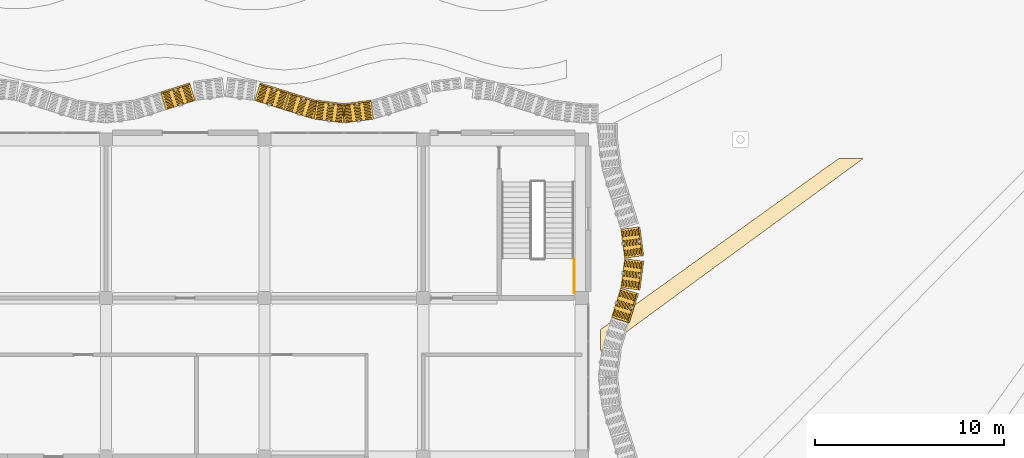
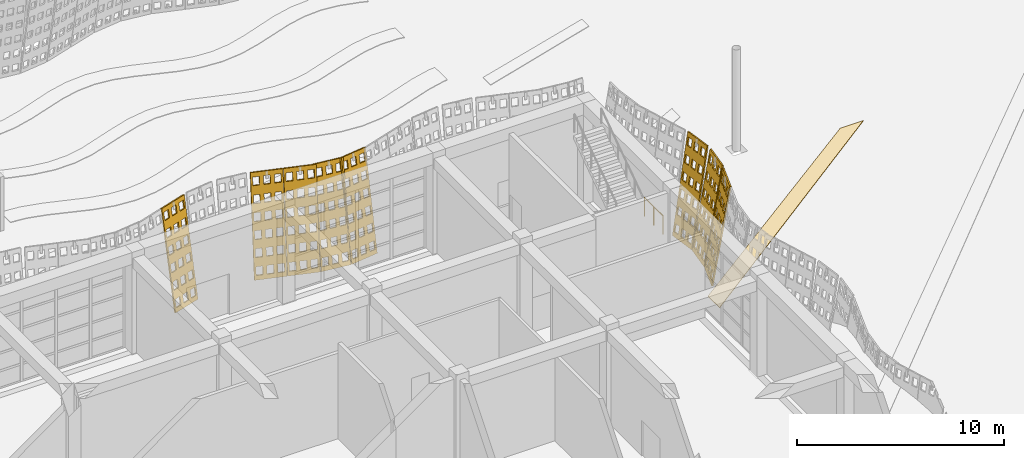
# One storey, part 162 of 210: 9 coverings, 1 railing.
"""IFC4 building model written with IfcOpenShell, lengths in metres."""

from ifc_helpers import new_model, si_unit, direction, frame, origin, origin_2d, place, context, subcontext, project, spatial, polyline, circle, outline, extrude, material, layer, layer_set, type_object, element, save


model = new_model("IFC4")

# Units and contexts
model_context = context("Model", 3, precision=1e-05, world=origin(), true_north=direction((0.0, 1.0)))
body_context = subcontext(model_context, "Body", "Model", "MODEL_VIEW")
ifc_project = project(units=[si_unit("LENGTHUNIT", "METRE"), si_unit("AREAUNIT", "SQUARE_METRE"), si_unit("VOLUMEUNIT", "CUBIC_METRE"), si_unit("PLANEANGLEUNIT", "RADIAN"), si_unit("MASSUNIT", "GRAM", prefix="KILO")], contexts=[model_context])

# Site, building, storey
site_placement = place(None, origin())
site = spatial("IfcSite", under=ifc_project, at=site_placement, CompositionType="ELEMENT")
building_placement = place(site_placement, origin())
building = spatial("IfcBuilding", under=site, at=building_placement, Name="Rain Tree Exposition and Congress Centre", CompositionType="ELEMENT")
storey_placement = place(building_placement, origin())
storey = spatial("IfcBuildingStorey", under=building, at=storey_placement, Name="L00", CompositionType="ELEMENT", Elevation=0.0)

# Coverings
ifc_material_1 = material(Name="Granite paving", Category="masonry")
ifc_layer_1 = layer(ifc_material_1, 0.030029296875)
ifc_layer_set_1 = layer_set([ifc_layer_1], Name="Granite paving")
covering_type_1 = type_object("IfcCoveringType", Name="Granite paving inlay 30", PredefinedType="FLOORING", material=ifc_layer_set_1)
covering_1_placement = place(storey_placement, origin())
element("IfcCovering", 1, at=covering_1_placement, inside=storey, type_object=covering_type_1, Name="Granite paving inlay 4", PredefinedType="FLOORING", context=body_context, shape_type="SweptSolid", body=[
    extrude(outline(polyline([(65.314208984375, 49.39990234375), (64.0205078125, 49.39990234375), (51.39990234375, 40.337158203125), (51.39990234375, 39.2099609375), (53.46826171875, 40.724609375), (65.314208984375, 49.39990234375)])), origin(), (0.0, 0.0, 1.0), 0.030029296875),
])
ifc_material_2 = material(Name="Perforated terracotta", Category="masonry")
ifc_layer_2 = layer(ifc_material_2, 0.080078125)
ifc_layer_set_2 = layer_set([ifc_layer_2], Name="Perforated terracotta")
covering_type_2 = type_object("IfcCoveringType", Name="Terracotta screen 80", PredefinedType="CLADDING", material=ifc_layer_set_2)
covering_2_placement = place(storey_placement, frame((52.050048828125, 40.949951171875, 0.0), z_axis=(-0.942480618158, 0.295859611525, 0.155555053482), x_axis=(-0.29950542383, -0.954094597562, 0.0)))
element("IfcCovering", 2, at=covering_2_placement, inside=storey, type_object=covering_type_2, Name="wing/screen/L00/061", PredefinedType="CLADDING", context=body_context, shape_type="SweptSolid", body=[
    extrude(outline(polyline([(-0.014892578125, 5.808349609375), (-0.014892578125, 0.0), (-1.62890625, 0.0), (-1.62890625, 5.808349609375), (-0.014892578125, 5.808349609375)]), holes=[polyline([(-0.1171875, 0.249755859375), (-0.1171875, 0.71826171875), (-0.45068359375, 0.71826171875), (-0.45068359375, 0.249755859375), (-0.1171875, 0.249755859375)]), polyline([(-0.1171875, 1.218017578125), (-0.1171875, 1.686279296875), (-0.45068359375, 1.686279296875), (-0.45068359375, 1.218017578125), (-0.1171875, 1.218017578125)]), polyline([(-0.1171875, 2.18603515625), (-0.1171875, 2.654296875), (-0.45068359375, 2.654296875), (-0.45068359375, 2.18603515625), (-0.1171875, 2.18603515625)]), polyline([(-0.1171875, 3.154052734375), (-0.1171875, 3.62255859375), (-0.45068359375, 3.62255859375), (-0.45068359375, 3.154052734375), (-0.1171875, 3.154052734375)]), polyline([(-0.1171875, 4.1220703125), (-0.1171875, 4.590576171875), (-0.45068359375, 4.590576171875), (-0.45068359375, 4.1220703125), (-0.1171875, 4.1220703125)]), polyline([(-0.1171875, 5.090087890625), (-0.1171875, 5.55859375), (-0.45068359375, 5.55859375), (-0.45068359375, 5.090087890625), (-0.1171875, 5.090087890625)]), polyline([(-0.6552734375, 0.249755859375), (-0.6552734375, 0.71826171875), (-0.98876953125, 0.71826171875), (-0.98876953125, 0.249755859375), (-0.6552734375, 0.249755859375)]), polyline([(-0.6552734375, 1.218017578125), (-0.6552734375, 1.686279296875), (-0.98876953125, 1.686279296875), (-0.98876953125, 1.218017578125), (-0.6552734375, 1.218017578125)]), polyline([(-0.6552734375, 2.18603515625), (-0.6552734375, 2.654296875), (-0.98876953125, 2.654296875), (-0.98876953125, 2.18603515625), (-0.6552734375, 2.18603515625)]), polyline([(-0.6552734375, 3.154052734375), (-0.6552734375, 3.62255859375), (-0.98876953125, 3.62255859375), (-0.98876953125, 3.154052734375), (-0.6552734375, 3.154052734375)]), polyline([(-0.6552734375, 4.1220703125), (-0.6552734375, 4.590576171875), (-0.98876953125, 4.590576171875), (-0.98876953125, 4.1220703125), (-0.6552734375, 4.1220703125)]), polyline([(-0.6552734375, 5.090087890625), (-0.6552734375, 5.55859375), (-0.98876953125, 5.55859375), (-0.98876953125, 5.090087890625), (-0.6552734375, 5.090087890625)]), polyline([(-1.193115234375, 0.249755859375), (-1.193115234375, 0.71826171875), (-1.526611328125, 0.71826171875), (-1.526611328125, 0.249755859375), (-1.193115234375, 0.249755859375)]), polyline([(-1.193115234375, 1.218017578125), (-1.193115234375, 1.686279296875), (-1.526611328125, 1.686279296875), (-1.526611328125, 1.218017578125), (-1.193115234375, 1.218017578125)]), polyline([(-1.193115234375, 2.18603515625), (-1.193115234375, 2.654296875), (-1.526611328125, 2.654296875), (-1.526611328125, 2.18603515625), (-1.193115234375, 2.18603515625)]), polyline([(-1.193115234375, 3.154052734375), (-1.193115234375, 3.62255859375), (-1.526611328125, 3.62255859375), (-1.526611328125, 3.154052734375), (-1.193115234375, 3.154052734375)]), polyline([(-1.193115234375, 4.1220703125), (-1.193115234375, 4.590576171875), (-1.526611328125, 4.590576171875), (-1.526611328125, 4.1220703125), (-1.193115234375, 4.1220703125)]), polyline([(-1.193115234375, 5.090087890625), (-1.193115234375, 5.55859375), (-1.526611328125, 5.55859375), (-1.526611328125, 5.090087890625), (-1.193115234375, 5.090087890625)])]), origin(), (0.0, 0.0, 1.0), 0.080078125),
])
covering_3_placement = place(storey_placement, frame((52.544921875, 42.52490234375, 0.0), z_axis=(-0.978391994594, 0.12841394929, 0.162046174105), x_axis=(-0.130133906157, -0.991496427865, 0.0)))
element("IfcCovering", 3, at=covering_3_placement, inside=storey, type_object=covering_type_2, Name="wing/screen/L00/062", PredefinedType="CLADDING", context=body_context, shape_type="SweptSolid", body=[
    extrude(outline(polyline([(-0.02197265625, 5.813720703125), (-0.02197265625, 0.0), (-1.56298828125, 0.0), (-1.56298828125, 5.813720703125), (-0.02197265625, 5.813720703125)]), holes=[polyline([(-0.11962890625, 0.25), (-0.11962890625, 0.718994140625), (-0.43798828125, 0.718994140625), (-0.43798828125, 0.25), (-0.11962890625, 0.25)]), polyline([(-0.11962890625, 1.218994140625), (-0.11962890625, 1.687744140625), (-0.43798828125, 1.687744140625), (-0.43798828125, 1.218994140625), (-0.11962890625, 1.218994140625)]), polyline([(-0.11962890625, 2.18798828125), (-0.11962890625, 2.65673828125), (-0.43798828125, 2.65673828125), (-0.43798828125, 2.18798828125), (-0.11962890625, 2.18798828125)]), polyline([(-0.11962890625, 3.15673828125), (-0.11962890625, 3.625732421875), (-0.43798828125, 3.625732421875), (-0.43798828125, 3.15673828125), (-0.11962890625, 3.15673828125)]), polyline([(-0.11962890625, 4.125732421875), (-0.11962890625, 4.594482421875), (-0.43798828125, 4.594482421875), (-0.43798828125, 4.125732421875), (-0.11962890625, 4.125732421875)]), polyline([(-0.11962890625, 5.0947265625), (-0.11962890625, 5.5634765625), (-0.43798828125, 5.5634765625), (-0.43798828125, 5.0947265625), (-0.11962890625, 5.0947265625)]), polyline([(-0.63330078125, 0.25), (-0.63330078125, 0.718994140625), (-0.95166015625, 0.718994140625), (-0.95166015625, 0.25), (-0.63330078125, 0.25)]), polyline([(-0.63330078125, 1.218994140625), (-0.63330078125, 1.687744140625), (-0.95166015625, 1.687744140625), (-0.95166015625, 1.218994140625), (-0.63330078125, 1.218994140625)]), polyline([(-0.63330078125, 2.18798828125), (-0.63330078125, 2.65673828125), (-0.95166015625, 2.65673828125), (-0.95166015625, 2.18798828125), (-0.63330078125, 2.18798828125)]), polyline([(-0.63330078125, 3.15673828125), (-0.63330078125, 3.625732421875), (-0.95166015625, 3.625732421875), (-0.95166015625, 3.15673828125), (-0.63330078125, 3.15673828125)]), polyline([(-0.63330078125, 4.125732421875), (-0.63330078125, 4.594482421875), (-0.95166015625, 4.594482421875), (-0.95166015625, 4.125732421875), (-0.63330078125, 4.125732421875)]), polyline([(-0.63330078125, 5.0947265625), (-0.63330078125, 5.5634765625), (-0.95166015625, 5.5634765625), (-0.95166015625, 5.0947265625), (-0.63330078125, 5.0947265625)]), polyline([(-1.146728515625, 0.25), (-1.146728515625, 0.718994140625), (-1.46533203125, 0.718994140625), (-1.46533203125, 0.25), (-1.146728515625, 0.25)]), polyline([(-1.146728515625, 1.218994140625), (-1.146728515625, 1.687744140625), (-1.46533203125, 1.687744140625), (-1.46533203125, 1.218994140625), (-1.146728515625, 1.218994140625)]), polyline([(-1.146728515625, 2.18798828125), (-1.146728515625, 2.65673828125), (-1.46533203125, 2.65673828125), (-1.46533203125, 2.18798828125), (-1.146728515625, 2.18798828125)]), polyline([(-1.146728515625, 3.15673828125), (-1.146728515625, 3.625732421875), (-1.46533203125, 3.625732421875), (-1.46533203125, 3.15673828125), (-1.146728515625, 3.15673828125)]), polyline([(-1.146728515625, 4.125732421875), (-1.146728515625, 4.594482421875), (-1.46533203125, 4.594482421875), (-1.46533203125, 4.125732421875), (-1.146728515625, 4.125732421875)]), polyline([(-1.146728515625, 5.0947265625), (-1.146728515625, 5.5634765625), (-1.46533203125, 5.5634765625), (-1.46533203125, 5.0947265625), (-1.146728515625, 5.0947265625)])]), origin(), (0.0, 0.0, 1.0), 0.079833984375),
])
covering_4_placement = place(storey_placement, frame((52.75, 44.10009765625, 0.0), z_axis=(-0.978522114732, -0.1280309309, 0.161562841373), x_axis=(0.129735338481, -0.991548658387, 0.0)))
element("IfcCovering", 4, at=covering_4_placement, inside=storey, type_object=covering_type_2, Name="wing/screen/L00/063", PredefinedType="CLADDING", context=body_context, shape_type="SweptSolid", body=[
    extrude(outline(polyline([(-0.025390625, 5.813720703125), (-0.025390625, 0.0), (-1.56640625, 0.0), (-1.56640625, 5.813720703125), (-0.025390625, 5.813720703125)]), holes=[polyline([(-0.123046875, 0.25), (-0.123046875, 0.718994140625), (-0.44140625, 0.718994140625), (-0.44140625, 0.25), (-0.123046875, 0.25)]), polyline([(-0.123046875, 1.218994140625), (-0.123046875, 1.687744140625), (-0.44140625, 1.687744140625), (-0.44140625, 1.218994140625), (-0.123046875, 1.218994140625)]), polyline([(-0.123046875, 2.18798828125), (-0.123046875, 2.65673828125), (-0.44140625, 2.65673828125), (-0.44140625, 2.18798828125), (-0.123046875, 2.18798828125)]), polyline([(-0.123046875, 3.15673828125), (-0.123046875, 3.625732421875), (-0.44140625, 3.625732421875), (-0.44140625, 3.15673828125), (-0.123046875, 3.15673828125)]), polyline([(-0.123046875, 4.125732421875), (-0.123046875, 4.594482421875), (-0.44140625, 4.594482421875), (-0.44140625, 4.125732421875), (-0.123046875, 4.125732421875)]), polyline([(-0.123046875, 5.0947265625), (-0.123046875, 5.5634765625), (-0.44140625, 5.5634765625), (-0.44140625, 5.0947265625), (-0.123046875, 5.0947265625)]), polyline([(-0.63671875, 0.25), (-0.63671875, 0.718994140625), (-0.955078125, 0.718994140625), (-0.955078125, 0.25), (-0.63671875, 0.25)]), polyline([(-0.63671875, 1.218994140625), (-0.63671875, 1.687744140625), (-0.955078125, 1.687744140625), (-0.955078125, 1.218994140625), (-0.63671875, 1.218994140625)]), polyline([(-0.63671875, 2.18798828125), (-0.63671875, 2.65673828125), (-0.955078125, 2.65673828125), (-0.955078125, 2.18798828125), (-0.63671875, 2.18798828125)]), polyline([(-0.63671875, 3.15673828125), (-0.63671875, 3.625732421875), (-0.955078125, 3.625732421875), (-0.955078125, 3.15673828125), (-0.63671875, 3.15673828125)]), polyline([(-0.63671875, 4.125732421875), (-0.63671875, 4.594482421875), (-0.955078125, 4.594482421875), (-0.955078125, 4.125732421875), (-0.63671875, 4.125732421875)]), polyline([(-0.63671875, 5.0947265625), (-0.63671875, 5.5634765625), (-0.955078125, 5.5634765625), (-0.955078125, 5.0947265625), (-0.63671875, 5.0947265625)]), polyline([(-1.150146484375, 0.25), (-1.150146484375, 0.718994140625), (-1.46875, 0.718994140625), (-1.46875, 0.25), (-1.150146484375, 0.25)]), polyline([(-1.150146484375, 1.218994140625), (-1.150146484375, 1.687744140625), (-1.46875, 1.687744140625), (-1.46875, 1.218994140625), (-1.150146484375, 1.218994140625)]), polyline([(-1.150146484375, 2.18798828125), (-1.150146484375, 2.65673828125), (-1.46875, 2.65673828125), (-1.46875, 2.18798828125), (-1.150146484375, 2.18798828125)]), polyline([(-1.150146484375, 3.15673828125), (-1.150146484375, 3.625732421875), (-1.46875, 3.625732421875), (-1.46875, 3.15673828125), (-1.150146484375, 3.15673828125)]), polyline([(-1.150146484375, 4.125732421875), (-1.150146484375, 4.594482421875), (-1.46875, 4.594482421875), (-1.46875, 4.125732421875), (-1.150146484375, 4.125732421875)]), polyline([(-1.150146484375, 5.0947265625), (-1.150146484375, 5.5634765625), (-1.46875, 5.5634765625), (-1.46875, 5.0947265625), (-1.150146484375, 5.0947265625)])]), origin(), (0.0, 0.0, 1.0), 0.080078125),
])
covering_5_placement = place(storey_placement, frame((39.375, 51.554931640625, 0.0), z_axis=(0.12841394929, -0.978391994594, 0.162046174105), x_axis=(0.991496427865, 0.130133906157, 0.0)))
element("IfcCovering", 5, at=covering_5_placement, inside=storey, type_object=covering_type_2, Name="wing/screen/L00/076", PredefinedType="CLADDING", context=body_context, shape_type="SweptSolid", body=[
    extrude(outline(polyline([(-0.014892578125, 5.813720703125), (-0.014892578125, 0.0), (-1.5732421875, 0.0), (-1.5732421875, 5.813720703125), (-0.014892578125, 5.813720703125)]), holes=[polyline([(-0.11376953125, 0.25), (-0.11376953125, 0.718994140625), (-0.435791015625, 0.718994140625), (-0.435791015625, 0.25), (-0.11376953125, 0.25)]), polyline([(-0.11376953125, 1.218994140625), (-0.11376953125, 1.687744140625), (-0.435791015625, 1.687744140625), (-0.435791015625, 1.218994140625), (-0.11376953125, 1.218994140625)]), polyline([(-0.11376953125, 2.18798828125), (-0.11376953125, 2.65673828125), (-0.435791015625, 2.65673828125), (-0.435791015625, 2.18798828125), (-0.11376953125, 2.18798828125)]), polyline([(-0.11376953125, 3.15673828125), (-0.11376953125, 3.625732421875), (-0.435791015625, 3.625732421875), (-0.435791015625, 3.15673828125), (-0.11376953125, 3.15673828125)]), polyline([(-0.11376953125, 4.125732421875), (-0.11376953125, 4.594482421875), (-0.435791015625, 4.594482421875), (-0.435791015625, 4.125732421875), (-0.11376953125, 4.125732421875)]), polyline([(-0.11376953125, 5.0947265625), (-0.11376953125, 5.5634765625), (-0.435791015625, 5.5634765625), (-0.435791015625, 5.0947265625), (-0.11376953125, 5.0947265625)]), polyline([(-0.633056640625, 0.25), (-0.633056640625, 0.718994140625), (-0.955078125, 0.718994140625), (-0.955078125, 0.25), (-0.633056640625, 0.25)]), polyline([(-0.633056640625, 1.218994140625), (-0.633056640625, 1.687744140625), (-0.955078125, 1.687744140625), (-0.955078125, 1.218994140625), (-0.633056640625, 1.218994140625)]), polyline([(-0.633056640625, 2.18798828125), (-0.633056640625, 2.65673828125), (-0.955078125, 2.65673828125), (-0.955078125, 2.18798828125), (-0.633056640625, 2.18798828125)]), polyline([(-0.633056640625, 3.15673828125), (-0.633056640625, 3.625732421875), (-0.955078125, 3.625732421875), (-0.955078125, 3.15673828125), (-0.633056640625, 3.15673828125)]), polyline([(-0.633056640625, 4.125732421875), (-0.633056640625, 4.594482421875), (-0.955078125, 4.594482421875), (-0.955078125, 4.125732421875), (-0.633056640625, 4.125732421875)]), polyline([(-0.633056640625, 5.0947265625), (-0.633056640625, 5.5634765625), (-0.955078125, 5.5634765625), (-0.955078125, 5.0947265625), (-0.633056640625, 5.0947265625)]), polyline([(-1.152587890625, 0.25), (-1.152587890625, 0.718994140625), (-1.474609375, 0.718994140625), (-1.474609375, 0.25), (-1.152587890625, 0.25)]), polyline([(-1.152587890625, 1.218994140625), (-1.152587890625, 1.687744140625), (-1.474609375, 1.687744140625), (-1.474609375, 1.218994140625), (-1.152587890625, 1.218994140625)]), polyline([(-1.152587890625, 2.18798828125), (-1.152587890625, 2.65673828125), (-1.474609375, 2.65673828125), (-1.474609375, 2.18798828125), (-1.152587890625, 2.18798828125)]), polyline([(-1.152587890625, 3.15673828125), (-1.152587890625, 3.625732421875), (-1.474609375, 3.625732421875), (-1.474609375, 3.15673828125), (-1.152587890625, 3.15673828125)]), polyline([(-1.152587890625, 4.125732421875), (-1.152587890625, 4.594482421875), (-1.474609375, 4.594482421875), (-1.474609375, 4.125732421875), (-1.152587890625, 4.125732421875)]), polyline([(-1.152587890625, 5.0947265625), (-1.152587890625, 5.5634765625), (-1.474609375, 5.5634765625), (-1.474609375, 5.0947265625), (-1.152587890625, 5.0947265625)])]), origin(), (0.0, 0.0, 1.0), 0.079833984375),
])
covering_6_placement = place(storey_placement, frame((37.800048828125, 51.35009765625, 0.0), z_axis=(-0.1280309309, -0.978522114732, 0.161562841373), x_axis=(0.991548658387, -0.129735338481, 0.0)))
element("IfcCovering", 6, at=covering_6_placement, inside=storey, type_object=covering_type_2, Name="wing/screen/L00/077", PredefinedType="CLADDING", context=body_context, shape_type="SweptSolid", body=[
    extrude(outline(polyline([(-0.014892578125, 5.813720703125), (-0.014892578125, 0.0), (-1.5732421875, 0.0), (-1.5732421875, 5.813720703125), (-0.014892578125, 5.813720703125)]), holes=[polyline([(-0.11376953125, 0.25), (-0.11376953125, 0.718994140625), (-0.435791015625, 0.718994140625), (-0.435791015625, 0.25), (-0.11376953125, 0.25)]), polyline([(-0.11376953125, 1.218994140625), (-0.11376953125, 1.687744140625), (-0.435791015625, 1.687744140625), (-0.435791015625, 1.218994140625), (-0.11376953125, 1.218994140625)]), polyline([(-0.11376953125, 2.18798828125), (-0.11376953125, 2.65673828125), (-0.435791015625, 2.65673828125), (-0.435791015625, 2.18798828125), (-0.11376953125, 2.18798828125)]), polyline([(-0.11376953125, 3.15673828125), (-0.11376953125, 3.625732421875), (-0.435791015625, 3.625732421875), (-0.435791015625, 3.15673828125), (-0.11376953125, 3.15673828125)]), polyline([(-0.11376953125, 4.125732421875), (-0.11376953125, 4.594482421875), (-0.435791015625, 4.594482421875), (-0.435791015625, 4.125732421875), (-0.11376953125, 4.125732421875)]), polyline([(-0.11376953125, 5.0947265625), (-0.11376953125, 5.5634765625), (-0.435791015625, 5.5634765625), (-0.435791015625, 5.0947265625), (-0.11376953125, 5.0947265625)]), polyline([(-0.633056640625, 0.25), (-0.633056640625, 0.718994140625), (-0.955078125, 0.718994140625), (-0.955078125, 0.25), (-0.633056640625, 0.25)]), polyline([(-0.633056640625, 1.218994140625), (-0.633056640625, 1.687744140625), (-0.955078125, 1.687744140625), (-0.955078125, 1.218994140625), (-0.633056640625, 1.218994140625)]), polyline([(-0.633056640625, 2.18798828125), (-0.633056640625, 2.65673828125), (-0.955078125, 2.65673828125), (-0.955078125, 2.18798828125), (-0.633056640625, 2.18798828125)]), polyline([(-0.633056640625, 3.15673828125), (-0.633056640625, 3.625732421875), (-0.955078125, 3.625732421875), (-0.955078125, 3.15673828125), (-0.633056640625, 3.15673828125)]), polyline([(-0.633056640625, 4.125732421875), (-0.633056640625, 4.594482421875), (-0.955078125, 4.594482421875), (-0.955078125, 4.125732421875), (-0.633056640625, 4.125732421875)]), polyline([(-0.633056640625, 5.0947265625), (-0.633056640625, 5.5634765625), (-0.955078125, 5.5634765625), (-0.955078125, 5.0947265625), (-0.633056640625, 5.0947265625)]), polyline([(-1.152587890625, 0.25), (-1.152587890625, 0.718994140625), (-1.474609375, 0.718994140625), (-1.474609375, 0.25), (-1.152587890625, 0.25)]), polyline([(-1.152587890625, 1.218994140625), (-1.152587890625, 1.687744140625), (-1.474609375, 1.687744140625), (-1.474609375, 1.218994140625), (-1.152587890625, 1.218994140625)]), polyline([(-1.152587890625, 2.18798828125), (-1.152587890625, 2.65673828125), (-1.474609375, 2.65673828125), (-1.474609375, 2.18798828125), (-1.152587890625, 2.18798828125)]), polyline([(-1.152587890625, 3.15673828125), (-1.152587890625, 3.625732421875), (-1.474609375, 3.625732421875), (-1.474609375, 3.15673828125), (-1.152587890625, 3.15673828125)]), polyline([(-1.152587890625, 4.125732421875), (-1.152587890625, 4.594482421875), (-1.474609375, 4.594482421875), (-1.474609375, 4.125732421875), (-1.152587890625, 4.125732421875)]), polyline([(-1.152587890625, 5.0947265625), (-1.152587890625, 5.5634765625), (-1.474609375, 5.5634765625), (-1.474609375, 5.0947265625), (-1.152587890625, 5.0947265625)])]), origin(), (0.0, 0.0, 1.0), 0.080078125),
])
covering_7_placement = place(storey_placement, frame((36.22509765625, 51.554931640625, 0.0), z_axis=(-0.295859611525, -0.942480618158, 0.155555053482), x_axis=(0.954094597562, -0.29950542383, 0.0)))
element("IfcCovering", 7, at=covering_7_placement, inside=storey, type_object=covering_type_2, Name="wing/screen/L00/078", PredefinedType="CLADDING", context=body_context, shape_type="SweptSolid", body=[
    extrude(outline(polyline([(-0.014892578125, 5.808349609375), (-0.014892578125, 0.0), (-1.635986328125, 0.0), (-1.635986328125, 5.808349609375), (-0.014892578125, 5.808349609375)]), holes=[polyline([(-0.11767578125, 0.249755859375), (-0.11767578125, 0.71826171875), (-0.45263671875, 0.71826171875), (-0.45263671875, 0.249755859375), (-0.11767578125, 0.249755859375)]), polyline([(-0.11767578125, 1.218017578125), (-0.11767578125, 1.686279296875), (-0.45263671875, 1.686279296875), (-0.45263671875, 1.218017578125), (-0.11767578125, 1.218017578125)]), polyline([(-0.11767578125, 2.18603515625), (-0.11767578125, 2.654296875), (-0.45263671875, 2.654296875), (-0.45263671875, 2.18603515625), (-0.11767578125, 2.18603515625)]), polyline([(-0.11767578125, 3.154052734375), (-0.11767578125, 3.62255859375), (-0.45263671875, 3.62255859375), (-0.45263671875, 3.154052734375), (-0.11767578125, 3.154052734375)]), polyline([(-0.11767578125, 4.1220703125), (-0.11767578125, 4.590576171875), (-0.45263671875, 4.590576171875), (-0.45263671875, 4.1220703125), (-0.11767578125, 4.1220703125)]), polyline([(-0.11767578125, 5.090087890625), (-0.11767578125, 5.55859375), (-0.45263671875, 5.55859375), (-0.45263671875, 5.090087890625), (-0.11767578125, 5.090087890625)]), polyline([(-0.657958984375, 0.249755859375), (-0.657958984375, 0.71826171875), (-0.992919921875, 0.71826171875), (-0.992919921875, 0.249755859375), (-0.657958984375, 0.249755859375)]), polyline([(-0.657958984375, 1.218017578125), (-0.657958984375, 1.686279296875), (-0.992919921875, 1.686279296875), (-0.992919921875, 1.218017578125), (-0.657958984375, 1.218017578125)]), polyline([(-0.657958984375, 2.18603515625), (-0.657958984375, 2.654296875), (-0.992919921875, 2.654296875), (-0.992919921875, 2.18603515625), (-0.657958984375, 2.18603515625)]), polyline([(-0.657958984375, 3.154052734375), (-0.657958984375, 3.62255859375), (-0.992919921875, 3.62255859375), (-0.992919921875, 3.154052734375), (-0.657958984375, 3.154052734375)]), polyline([(-0.657958984375, 4.1220703125), (-0.657958984375, 4.590576171875), (-0.992919921875, 4.590576171875), (-0.992919921875, 4.1220703125), (-0.657958984375, 4.1220703125)]), polyline([(-0.657958984375, 5.090087890625), (-0.657958984375, 5.55859375), (-0.992919921875, 5.55859375), (-0.992919921875, 5.090087890625), (-0.657958984375, 5.090087890625)]), polyline([(-1.1982421875, 0.249755859375), (-1.1982421875, 0.71826171875), (-1.533203125, 0.71826171875), (-1.533203125, 0.249755859375), (-1.1982421875, 0.249755859375)]), polyline([(-1.1982421875, 1.218017578125), (-1.1982421875, 1.686279296875), (-1.533203125, 1.686279296875), (-1.533203125, 1.218017578125), (-1.1982421875, 1.218017578125)]), polyline([(-1.1982421875, 2.18603515625), (-1.1982421875, 2.654296875), (-1.533203125, 2.654296875), (-1.533203125, 2.18603515625), (-1.1982421875, 2.18603515625)]), polyline([(-1.1982421875, 3.154052734375), (-1.1982421875, 3.62255859375), (-1.533203125, 3.62255859375), (-1.533203125, 3.154052734375), (-1.1982421875, 3.154052734375)]), polyline([(-1.1982421875, 4.1220703125), (-1.1982421875, 4.590576171875), (-1.533203125, 4.590576171875), (-1.533203125, 4.1220703125), (-1.1982421875, 4.1220703125)]), polyline([(-1.1982421875, 5.090087890625), (-1.1982421875, 5.55859375), (-1.533203125, 5.55859375), (-1.533203125, 5.090087890625), (-1.1982421875, 5.090087890625)])]), origin(), (0.0, 0.0, 1.0), 0.080078125),
])
covering_8_placement = place(storey_placement, frame((34.64990234375, 52.050048828125, 0.0), z_axis=(-0.295859611525, -0.942480618158, 0.155555053482), x_axis=(0.954094597562, -0.29950542383, 0.0)))
element("IfcCovering", 8, at=covering_8_placement, inside=storey, type_object=covering_type_2, Name="wing/screen/L00/079", PredefinedType="CLADDING", context=body_context, shape_type="SweptSolid", body=[
    extrude(outline(polyline([(-0.014892578125, 5.808349609375), (-0.014892578125, 0.0), (-1.62890625, 0.0), (-1.62890625, 5.808349609375), (-0.014892578125, 5.808349609375)]), holes=[polyline([(-0.1171875, 0.249755859375), (-0.1171875, 0.71826171875), (-0.45068359375, 0.71826171875), (-0.45068359375, 0.249755859375), (-0.1171875, 0.249755859375)]), polyline([(-0.1171875, 1.218017578125), (-0.1171875, 1.686279296875), (-0.45068359375, 1.686279296875), (-0.45068359375, 1.218017578125), (-0.1171875, 1.218017578125)]), polyline([(-0.1171875, 2.18603515625), (-0.1171875, 2.654296875), (-0.45068359375, 2.654296875), (-0.45068359375, 2.18603515625), (-0.1171875, 2.18603515625)]), polyline([(-0.1171875, 3.154052734375), (-0.1171875, 3.62255859375), (-0.45068359375, 3.62255859375), (-0.45068359375, 3.154052734375), (-0.1171875, 3.154052734375)]), polyline([(-0.1171875, 4.1220703125), (-0.1171875, 4.590576171875), (-0.45068359375, 4.590576171875), (-0.45068359375, 4.1220703125), (-0.1171875, 4.1220703125)]), polyline([(-0.1171875, 5.090087890625), (-0.1171875, 5.55859375), (-0.45068359375, 5.55859375), (-0.45068359375, 5.090087890625), (-0.1171875, 5.090087890625)]), polyline([(-0.6552734375, 0.249755859375), (-0.6552734375, 0.71826171875), (-0.98876953125, 0.71826171875), (-0.98876953125, 0.249755859375), (-0.6552734375, 0.249755859375)]), polyline([(-0.6552734375, 1.218017578125), (-0.6552734375, 1.686279296875), (-0.98876953125, 1.686279296875), (-0.98876953125, 1.218017578125), (-0.6552734375, 1.218017578125)]), polyline([(-0.6552734375, 2.18603515625), (-0.6552734375, 2.654296875), (-0.98876953125, 2.654296875), (-0.98876953125, 2.18603515625), (-0.6552734375, 2.18603515625)]), polyline([(-0.6552734375, 3.154052734375), (-0.6552734375, 3.62255859375), (-0.98876953125, 3.62255859375), (-0.98876953125, 3.154052734375), (-0.6552734375, 3.154052734375)]), polyline([(-0.6552734375, 4.1220703125), (-0.6552734375, 4.590576171875), (-0.98876953125, 4.590576171875), (-0.98876953125, 4.1220703125), (-0.6552734375, 4.1220703125)]), polyline([(-0.6552734375, 5.090087890625), (-0.6552734375, 5.55859375), (-0.98876953125, 5.55859375), (-0.98876953125, 5.090087890625), (-0.6552734375, 5.090087890625)]), polyline([(-1.193115234375, 0.249755859375), (-1.193115234375, 0.71826171875), (-1.526611328125, 0.71826171875), (-1.526611328125, 0.249755859375), (-1.193115234375, 0.249755859375)]), polyline([(-1.193115234375, 1.218017578125), (-1.193115234375, 1.686279296875), (-1.526611328125, 1.686279296875), (-1.526611328125, 1.218017578125), (-1.193115234375, 1.218017578125)]), polyline([(-1.193115234375, 2.18603515625), (-1.193115234375, 2.654296875), (-1.526611328125, 2.654296875), (-1.526611328125, 2.18603515625), (-1.193115234375, 2.18603515625)]), polyline([(-1.193115234375, 3.154052734375), (-1.193115234375, 3.62255859375), (-1.526611328125, 3.62255859375), (-1.526611328125, 3.154052734375), (-1.193115234375, 3.154052734375)]), polyline([(-1.193115234375, 4.1220703125), (-1.193115234375, 4.590576171875), (-1.526611328125, 4.590576171875), (-1.526611328125, 4.1220703125), (-1.193115234375, 4.1220703125)]), polyline([(-1.193115234375, 5.090087890625), (-1.193115234375, 5.55859375), (-1.526611328125, 5.55859375), (-1.526611328125, 5.090087890625), (-1.193115234375, 5.090087890625)])]), origin(), (0.0, 0.0, 1.0), 0.080078125),
])
covering_9_placement = place(storey_placement, frame((29.925048828125, 52.544921875, 0.0), z_axis=(0.295859611525, -0.942480618158, 0.155555053482), x_axis=(0.954094597562, 0.29950542383, 0.0)))
element("IfcCovering", 9, at=covering_9_placement, inside=storey, type_object=covering_type_2, Name="wing/screen/L00/082", PredefinedType="CLADDING", context=body_context, shape_type="SweptSolid", body=[
    extrude(outline(polyline([(-0.02197265625, 5.808349609375), (-0.02197265625, 0.0), (-1.635986328125, 0.0), (-1.635986328125, 5.808349609375), (-0.02197265625, 5.808349609375)]), holes=[polyline([(-0.124267578125, 0.249755859375), (-0.124267578125, 0.71826171875), (-0.457763671875, 0.71826171875), (-0.457763671875, 0.249755859375), (-0.124267578125, 0.249755859375)]), polyline([(-0.124267578125, 1.218017578125), (-0.124267578125, 1.686279296875), (-0.457763671875, 1.686279296875), (-0.457763671875, 1.218017578125), (-0.124267578125, 1.218017578125)]), polyline([(-0.124267578125, 2.18603515625), (-0.124267578125, 2.654296875), (-0.457763671875, 2.654296875), (-0.457763671875, 2.18603515625), (-0.124267578125, 2.18603515625)]), polyline([(-0.124267578125, 3.154052734375), (-0.124267578125, 3.62255859375), (-0.457763671875, 3.62255859375), (-0.457763671875, 3.154052734375), (-0.124267578125, 3.154052734375)]), polyline([(-0.124267578125, 4.1220703125), (-0.124267578125, 4.590576171875), (-0.457763671875, 4.590576171875), (-0.457763671875, 4.1220703125), (-0.124267578125, 4.1220703125)]), polyline([(-0.124267578125, 5.090087890625), (-0.124267578125, 5.55859375), (-0.457763671875, 5.55859375), (-0.457763671875, 5.090087890625), (-0.124267578125, 5.090087890625)]), polyline([(-0.662109375, 0.249755859375), (-0.662109375, 0.71826171875), (-0.995849609375, 0.71826171875), (-0.995849609375, 0.249755859375), (-0.662109375, 0.249755859375)]), polyline([(-0.662109375, 1.218017578125), (-0.662109375, 1.686279296875), (-0.995849609375, 1.686279296875), (-0.995849609375, 1.218017578125), (-0.662109375, 1.218017578125)]), polyline([(-0.662109375, 2.18603515625), (-0.662109375, 2.654296875), (-0.995849609375, 2.654296875), (-0.995849609375, 2.18603515625), (-0.662109375, 2.18603515625)]), polyline([(-0.662109375, 3.154052734375), (-0.662109375, 3.62255859375), (-0.995849609375, 3.62255859375), (-0.995849609375, 3.154052734375), (-0.662109375, 3.154052734375)]), polyline([(-0.662109375, 4.1220703125), (-0.662109375, 4.590576171875), (-0.995849609375, 4.590576171875), (-0.995849609375, 4.1220703125), (-0.662109375, 4.1220703125)]), polyline([(-0.662109375, 5.090087890625), (-0.662109375, 5.55859375), (-0.995849609375, 5.55859375), (-0.995849609375, 5.090087890625), (-0.662109375, 5.090087890625)]), polyline([(-1.2001953125, 0.249755859375), (-1.2001953125, 0.71826171875), (-1.53369140625, 0.71826171875), (-1.53369140625, 0.249755859375), (-1.2001953125, 0.249755859375)]), polyline([(-1.2001953125, 1.218017578125), (-1.2001953125, 1.686279296875), (-1.53369140625, 1.686279296875), (-1.53369140625, 1.218017578125), (-1.2001953125, 1.218017578125)]), polyline([(-1.2001953125, 2.18603515625), (-1.2001953125, 2.654296875), (-1.53369140625, 2.654296875), (-1.53369140625, 2.18603515625), (-1.2001953125, 2.18603515625)]), polyline([(-1.2001953125, 3.154052734375), (-1.2001953125, 3.62255859375), (-1.53369140625, 3.62255859375), (-1.53369140625, 3.154052734375), (-1.2001953125, 3.154052734375)]), polyline([(-1.2001953125, 4.1220703125), (-1.2001953125, 4.590576171875), (-1.53369140625, 4.590576171875), (-1.53369140625, 4.1220703125), (-1.2001953125, 4.1220703125)]), polyline([(-1.2001953125, 5.090087890625), (-1.2001953125, 5.55859375), (-1.53369140625, 5.55859375), (-1.53369140625, 5.090087890625), (-1.2001953125, 5.090087890625)])]), origin(), (0.0, 0.0, 1.0), 0.080078125),
])

# Railing
ifc_material_3 = material(Name="Steel S355J2H", Category="steel")
railing_type = type_object("IfcRailingType", Name="Wing stair guard 1100", PredefinedType="GUARDRAIL", material=ifc_material_3)
railing_placement = place(storey_placement, frame((50.0029296875, 44.050048828125, 3.0)))
element("IfcRailing", 10, at=railing_placement, inside=storey, type_object=railing_type, Name="wing/stair/ST-W4-L00-LG1", PredefinedType="GUARDRAIL", context=body_context, shape_type="SweptSolid", body=[
    extrude(circle(Radius=0.02392578125, at=origin_2d()), frame((0.0, 0.0, 1.076171875), z_axis=(0.0, -1.0, 0.0), x_axis=(1.0, 0.0, 0.0)), (0.0, 0.0, 1.0), 1.778076171875),
    extrude(circle(Radius=0.02099609375, at=origin_2d()), origin(), (0.0, 0.0, 1.0), 1.052001953125),
    extrude(circle(Radius=0.02099609375, at=origin_2d()), frame((0.0, -0.88916015625, 0.0)), (0.0, 0.0, 1.0), 1.052001953125),
    extrude(circle(Radius=0.02099609375, at=origin_2d()), frame((0.0, -1.778076171875, 0.0)), (0.0, 0.0, 1.0), 1.052001953125),
])

save(model, "model.ifc")
